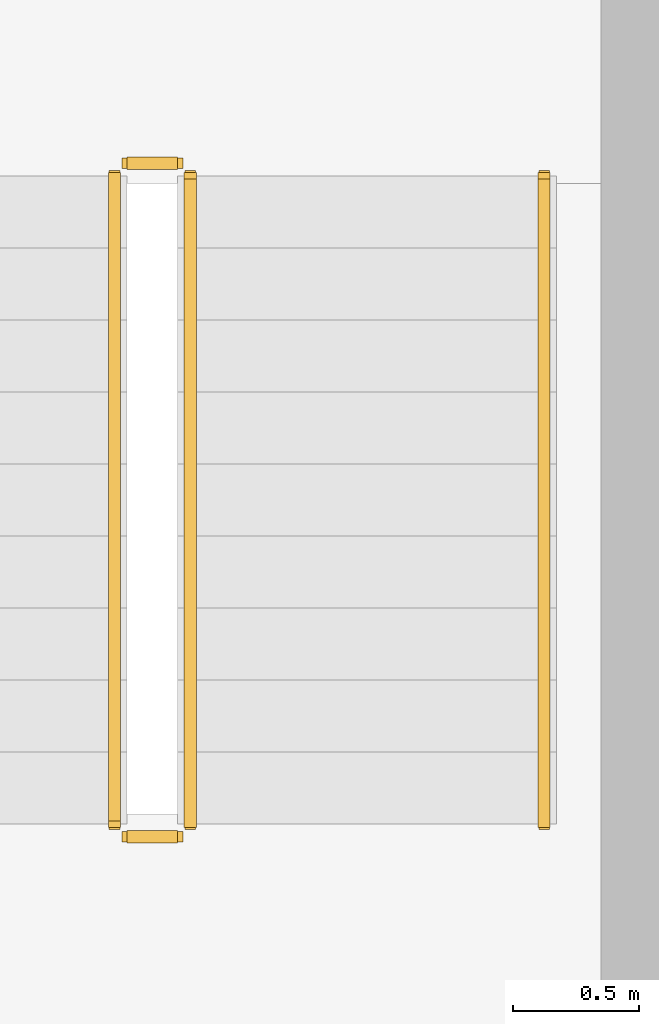
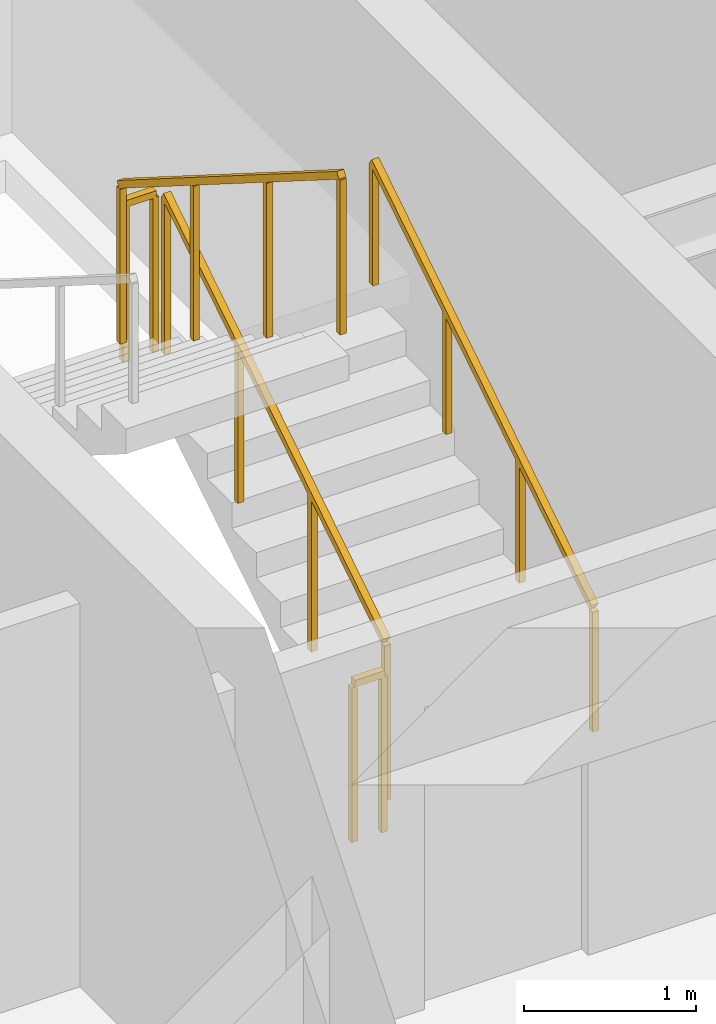
# One storey, part 21 of 21: 5 railings.
"""IFC4 building model written with IfcOpenShell, lengths in metres."""

import ifcopenshell
import ifcopenshell.guid

model = None  # the IFC model being written
_history = None  # IfcOwnerHistory: only IFC2X3 demands one
_inside = {}  # id of a spatial element -> (the spatial element, [elements in it])
_under = {}  # id of a project, library or spatial element -> (it, [spatial elements below it])
_declared = {}  # id of a project -> (the project, [libraries it declares])
_typed = {}  # id of a type object -> (the type object, [elements of that type])
_made_of = {}  # id of a material, layer set ... -> (it, [elements and type objects made of it])


def new_model(schema):
    """Start an empty IFC model of exactly this schema.

    Asked for "IFC4X3", IfcOpenShell would pick the latest addendum, in which some entities
    have other attributes; the version numbers below select the first issue.
    IFC2X3 requires an IfcOwnerHistory on every rooted entity: one is made here for all.
    """
    global model, _history
    if schema == "IFC4X3":
        model = ifcopenshell.file(schema_version=(4, 3, 0, 0))
    else:
        model = ifcopenshell.file(schema=schema)
    _inside.clear()
    _under.clear()
    _declared.clear()
    _typed.clear()
    _made_of.clear()
    _history = None
    if model.schema == "IFC2X3":
        org = make("IfcOrganization", Name="unknown")
        user = make(
            "IfcPersonAndOrganization",
            ThePerson=make("IfcPerson", FamilyName="unknown"),
            TheOrganization=org,
        )
        app = make(
            "IfcApplication",
            ApplicationDeveloper=org,
            Version="unknown",
            ApplicationFullName="unknown",
            ApplicationIdentifier="unknown",
        )
        _history = make(
            "IfcOwnerHistory",
            OwningUser=user,
            OwningApplication=app,
            ChangeAction="ADDED",
            CreationDate=0,
        )
    return model


def make(cls, **values):
    """One entity of the class cls with the attributes given. An attribute that is None is left unset."""
    return model.create_entity(
        cls, **{name: value for name, value in values.items() if value is not None}
    )


def rooted(cls, **values):
    """An entity with a GlobalId (a new one), such as an element, a storey or a relation."""
    return make(cls, GlobalId=ifcopenshell.guid.new(), OwnerHistory=_history, **values)


def si_unit(unit_type, name, prefix=None):
    """IfcSIUnit, for example si_unit("LENGTHUNIT", "METRE", prefix="MILLI")."""
    return make("IfcSIUnit", UnitType=unit_type, Prefix=prefix, Name=name)


def assignment(units):
    """IfcUnitAssignment: the units of a project."""
    return None if units is None else make("IfcUnitAssignment", Units=units)


def point(xyz):
    """IfcCartesianPoint."""
    return None if xyz is None else make("IfcCartesianPoint", Coordinates=xyz)


def direction(xyz):
    """IfcDirection."""
    return None if xyz is None else make("IfcDirection", DirectionRatios=xyz)


def frame(location, z_axis=None, x_axis=None):
    """IfcAxis2Placement3D, a coordinate frame: its origin and axes. An axis left out is left unset."""
    return make(
        "IfcAxis2Placement3D",
        Location=point(location),
        Axis=direction(z_axis),
        RefDirection=direction(x_axis),
    )


def frame_2d(location, x_axis=None):
    """IfcAxis2Placement2D, a coordinate frame in the plane: its origin and x axis."""
    return make(
        "IfcAxis2Placement2D", Location=point(location), RefDirection=direction(x_axis)
    )


def origin():
    """The frame at (0, 0, 0) with its axes left unset."""
    return frame((0.0, 0.0, 0.0))


def origin_2d():
    """The frame at (0, 0) in the plane with its x axis left unset."""
    return frame_2d((0.0, 0.0))


def place(relative_to, where):
    """IfcLocalPlacement: puts the frame where relative to a parent placement (None: the world)."""
    return make(
        "IfcLocalPlacement", PlacementRelTo=relative_to, RelativePlacement=where
    )


def context(
    kind, dimensions, precision=None, world=None, true_north=None, identifier=None
):
    """IfcGeometricRepresentationContext, for example the 3D "Model" context."""
    return make(
        "IfcGeometricRepresentationContext",
        ContextIdentifier=identifier,
        ContextType=kind,
        CoordinateSpaceDimension=dimensions,
        Precision=precision,
        WorldCoordinateSystem=world,
        TrueNorth=true_north,
    )


def subcontext(parent, identifier, kind, view, scale=None):
    """IfcGeometricRepresentationSubContext, for example "Body" below "Model"."""
    return make(
        "IfcGeometricRepresentationSubContext",
        ContextIdentifier=identifier,
        ContextType=kind,
        ParentContext=parent,
        TargetScale=scale,
        TargetView=view,
    )


def project(units=None, contexts=None):
    """IfcProject with its units and contexts."""
    return rooted(
        "IfcProject",
        Name="project",
        RepresentationContexts=contexts,
        UnitsInContext=assignment(units),
    )


def spatial(cls, under=None, at=None, **own):
    """A site, building, storey or space (cls), placed at a placement, below another one or the project."""
    s = rooted(cls, ObjectPlacement=at, **own)
    if under is not None:
        _under.setdefault(under.id(), (under, []))[1].append(s)
    return s


def profile(cls, at=None, kind="AREA", **sizes):
    """A parametric profile (cls). Its sizes go by their IFC names, for example OverallWidth=200.0."""
    return make(cls, ProfileType=kind, Position=at, **sizes)


def rectangle(**sizes):
    """IfcRectangleProfileDef."""
    return profile("IfcRectangleProfileDef", **sizes)


def extrude(swept, where, along, depth):
    """IfcExtrudedAreaSolid: the profile swept, set in the frame where, extruded along a direction by depth."""
    return make(
        "IfcExtrudedAreaSolid",
        SweptArea=swept,
        Position=where,
        ExtrudedDirection=direction(along),
        Depth=depth,
    )


def shape(context_of_items, identifier, shape_type, items):
    """IfcShapeRepresentation: the items that make up one representation, for example the "Body"."""
    return make(
        "IfcShapeRepresentation",
        ContextOfItems=context_of_items,
        RepresentationIdentifier=identifier,
        RepresentationType=shape_type,
        Items=items,
    )


def material(Name=None, Category=None):
    """IfcMaterial."""
    return make("IfcMaterial", Name=Name, Category=Category)


def made_of(thing, what):
    """Note that an element or type object is made of a material, layer set ...; save() writes the relation."""
    if what is not None:
        _made_of.setdefault(what.id(), (what, []))[1].append(thing)
    return thing


def type_object(cls, material=None, **own):
    """A type object (cls), such as IfcWallType, which elements share."""
    return made_of(rooted(cls, **own), material)


def element(
    cls,
    number,
    at=None,
    inside=None,
    cuts=None,
    type_object=None,
    material=None,
    context=None,
    identifier="Body",
    shape_type=None,
    held_by="IfcProductDefinitionShape",
    body=None,
    shapes=None,
    **own,
):
    """One element of the class cls, such as IfcWall. Its Tag is "e" and its number.

    at: its placement. inside: the storey or other place that contains it. cuts: it is an
    opening in that element (IfcRelVoidsElement). A single representation is given by context,
    identifier, shape_type and body (its items); several are given by shapes. held_by: the class
    of the entity that holds the representations. save() writes the other relations.
    """
    e = rooted(cls, Tag="e%d" % number, ObjectPlacement=at, **own)
    if body is not None:
        shapes = [shape(context, identifier, shape_type, body)]
    if shapes is not None:
        e.Representation = make(held_by, Representations=shapes)
    if inside is not None:
        _inside.setdefault(inside.id(), (inside, []))[1].append(e)
    if cuts is not None:
        rooted(
            "IfcRelVoidsElement", RelatingBuildingElement=cuts, RelatedOpeningElement=e
        )
    if type_object is not None:
        _typed.setdefault(type_object.id(), (type_object, []))[1].append(e)
    return made_of(e, material)


def aggregate(whole, parts):
    """IfcRelAggregates: a whole, such as a stair, and the parts it consists of."""
    return rooted("IfcRelAggregates", RelatingObject=whole, RelatedObjects=parts)


def save(model, path):
    """Write the relations noted so far, then the file.

    IfcRelAggregates (storeys below a building ...), IfcRelContainedInSpatialStructure (elements
    in a storey), IfcRelDefinesByType, IfcRelAssociatesMaterial and IfcRelDeclares: one each for
    every whole, place, type object, material and project.
    """
    for whole, parts in _under.values():
        aggregate(whole, parts)
    for where, things in _inside.values():
        rooted(
            "IfcRelContainedInSpatialStructure",
            RelatedElements=things,
            RelatingStructure=where,
        )
    for kind, things in _typed.values():
        rooted("IfcRelDefinesByType", RelatedObjects=things, RelatingType=kind)
    for what, things in _made_of.values():
        rooted("IfcRelAssociatesMaterial", RelatedObjects=things, RelatingMaterial=what)
    for by, libraries in _declared.values():
        rooted("IfcRelDeclares", RelatingContext=by, RelatedDefinitions=libraries)
    model.write(path)


model = new_model("IFC4")

# Units and contexts
model_context = context("Model", 3, precision=1e-05, world=origin(), true_north=direction((0.0, 1.0)))
body_context = subcontext(model_context, "Body", "Model", "MODEL_VIEW")
ifc_project = project(units=[si_unit("LENGTHUNIT", "METRE"), si_unit("AREAUNIT", "SQUARE_METRE"), si_unit("VOLUMEUNIT", "CUBIC_METRE"), si_unit("PLANEANGLEUNIT", "RADIAN"), si_unit("MASSUNIT", "GRAM", prefix="KILO")], contexts=[model_context])

# Site, building, storey
site_placement = place(None, origin())
site = spatial("IfcSite", under=ifc_project, at=site_placement, CompositionType="ELEMENT")
building_placement = place(site_placement, origin())
building = spatial("IfcBuilding", under=site, at=building_placement, Name="Sarneth Arch Tower", CompositionType="ELEMENT")
storey_placement = place(building_placement, frame((0.0, 0.0, 309.0)))
storey = spatial("IfcBuildingStorey", under=building, at=storey_placement, Name="L80", CompositionType="ELEMENT", Elevation=309.0)

# Railings
ifc_material_1 = material(Name="Brushed Stainless Steel 304 tubular handrail", Category="steel")
railing_type_1 = type_object("IfcRailingType", Name="RAIL-HANDRAIL-900", PredefinedType="HANDRAIL", material=ifc_material_1)
railing_1_placement = place(storey_placement, frame((58.60009765625, 41.449951171875, 0.179931640625)))
element("IfcRailing", 1, at=railing_1_placement, inside=storey, type_object=railing_type_1, Name="L80 ST-2 stair handrail 1", PredefinedType="HANDRAIL", context=body_context, shape_type="SweptSolid", body=[
    extrude(rectangle(XDim=0.048095703125, YDim=0.048095703125, at=origin_2d()), frame((0.0, 0.0, 0.8759765625), z_axis=(0.0, 0.845465955043, 0.534029323973), x_axis=(-1.0, 0.0, 0.0)), (0.0, 0.0, 1.0), 3.03369140625),
    extrude(rectangle(XDim=0.0419921875, YDim=0.0419921875, at=origin_2d()), origin(), (0.0, 0.0, 1.0), 0.851806640625),
    extrude(rectangle(XDim=0.0419921875, YDim=0.0419921875, at=origin_2d()), frame((0.0, 0.85498046875, 0.5400390625)), (0.0, 0.0, 1.0), 0.851806640625),
    extrude(rectangle(XDim=0.0419921875, YDim=0.0419921875, at=origin_2d()), frame((0.0, 1.7099609375, 1.080078125)), (0.0, 0.0, 1.0), 0.851806640625),
    extrude(rectangle(XDim=0.0419921875, YDim=0.0419921875, at=origin_2d()), frame((0.0, 2.56494140625, 1.6201171875)), (0.0, 0.0, 1.0), 0.851806640625),
])
ifc_material_2 = material(Name="Painted Steel S275 stair well guard", Category="steel")
railing_type_2 = type_object("IfcRailingType", Name="RAIL-STAIR-GUARD", PredefinedType="GUARDRAIL", material=ifc_material_2)
railing_2_placement = place(storey_placement, frame((57.199951171875, 41.449951171875, 0.179931640625)))
element("IfcRailing", 2, at=railing_2_placement, inside=storey, type_object=railing_type_2, Name="L80 ST-2 stair guard 1", PredefinedType="GUARDRAIL", context=body_context, shape_type="SweptSolid", body=[
    extrude(rectangle(XDim=0.048095703125, YDim=0.048095703125, at=origin_2d()), frame((0.0, 0.0, 1.1259765625), z_axis=(0.0, 0.845465955043, 0.534029323973), x_axis=(-1.0, 0.0, 0.0)), (0.0, 0.0, 1.0), 3.03369140625),
    extrude(rectangle(XDim=0.0419921875, YDim=0.0419921875, at=origin_2d()), origin(), (0.0, 0.0, 1.0), 1.101806640625),
    extrude(rectangle(XDim=0.0419921875, YDim=0.0419921875, at=origin_2d()), frame((0.0, 0.85498046875, 0.5400390625)), (0.0, 0.0, 1.0), 1.101806640625),
    extrude(rectangle(XDim=0.0419921875, YDim=0.0419921875, at=origin_2d()), frame((0.0, 1.7099609375, 1.080078125)), (0.0, 0.0, 1.0), 1.101806640625),
    extrude(rectangle(XDim=0.0419921875, YDim=0.0419921875, at=origin_2d()), frame((0.0, 2.56494140625, 1.6201171875)), (0.0, 0.0, 1.0), 1.101806640625),
])
railing_3_placement = place(storey_placement, frame((57.14990234375, 44.06494140625, 1.800048828125)))
element("IfcRailing", 3, at=railing_3_placement, inside=storey, type_object=railing_type_2, Name="L80 ST-2 stair guard 2", PredefinedType="GUARDRAIL", context=body_context, shape_type="SweptSolid", body=[
    extrude(rectangle(XDim=0.048095703125, YDim=0.048095703125, at=origin_2d()), frame((0.0, 0.0, 1.1259765625), z_axis=(-1.0, 0.0, 0.0), x_axis=(0.0, -1.0, 0.0)), (0.0, 0.0, 1.0), 0.199951171875),
    extrude(rectangle(XDim=0.0419921875, YDim=0.0419921875, at=origin_2d()), origin(), (0.0, 0.0, 1.0), 1.101806640625),
    extrude(rectangle(XDim=0.0419921875, YDim=0.0419921875, at=origin_2d()), frame((-0.199951171875, 0.0, 0.0)), (0.0, 0.0, 1.0), 1.101806640625),
])
railing_4_placement = place(storey_placement, frame((56.89990234375, 44.014892578125, 1.97998046875)))
element("IfcRailing", 4, at=railing_4_placement, inside=storey, type_object=railing_type_2, Name="L80 ST-2 stair guard 3", PredefinedType="GUARDRAIL", context=body_context, shape_type="SweptSolid", body=[
    extrude(rectangle(XDim=0.048095703125, YDim=0.048095703125, at=origin_2d()), frame((0.0, 0.0, 1.1259765625), z_axis=(0.0, -0.845465955043, 0.534029323973), x_axis=(1.0, 0.0, 0.0)), (0.0, 0.0, 1.0), 3.03369140625),
    extrude(rectangle(XDim=0.0419921875, YDim=0.0419921875, at=origin_2d()), origin(), (0.0, 0.0, 1.0), 1.101806640625),
    extrude(rectangle(XDim=0.0419921875, YDim=0.0419921875, at=origin_2d()), frame((0.0, -0.85498046875, 0.5400390625)), (0.0, 0.0, 1.0), 1.101806640625),
    extrude(rectangle(XDim=0.0419921875, YDim=0.0419921875, at=origin_2d()), frame((0.0, -1.7099609375, 1.080078125)), (0.0, 0.0, 1.0), 1.101806640625),
    extrude(rectangle(XDim=0.0419921875, YDim=0.0419921875, at=origin_2d()), frame((0.0, -2.56494140625, 1.6201171875)), (0.0, 0.0, 1.0), 1.101806640625),
])
railing_5_placement = place(storey_placement, frame((57.14990234375, 41.39990234375, 0.0)))
element("IfcRailing", 5, at=railing_5_placement, inside=storey, type_object=railing_type_2, Name="L80 ST-2 stair guard 4", PredefinedType="GUARDRAIL", context=body_context, shape_type="SweptSolid", body=[
    extrude(rectangle(XDim=0.048095703125, YDim=0.048095703125, at=origin_2d()), frame((0.0, 0.0, 1.1259765625), z_axis=(-1.0, 0.0, 0.0), x_axis=(0.0, -1.0, 0.0)), (0.0, 0.0, 1.0), 0.199951171875),
    extrude(rectangle(XDim=0.0419921875, YDim=0.0419921875, at=origin_2d()), origin(), (0.0, 0.0, 1.0), 1.101806640625),
    extrude(rectangle(XDim=0.0419921875, YDim=0.0419921875, at=origin_2d()), frame((-0.199951171875, 0.0, 0.0)), (0.0, 0.0, 1.0), 1.101806640625),
])

save(model, "model.ifc")
